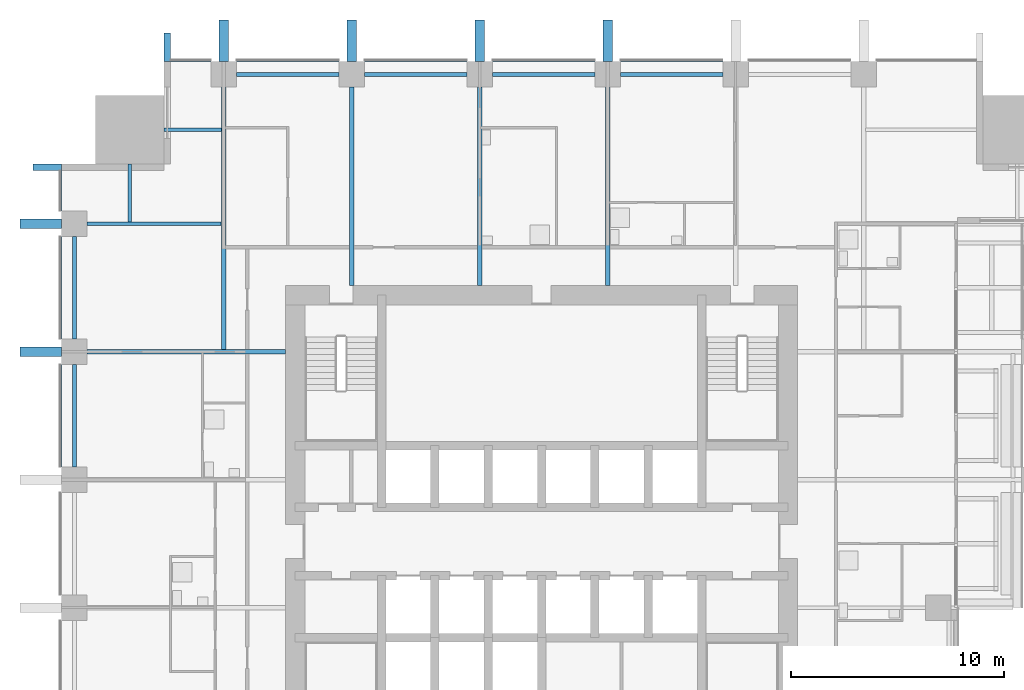
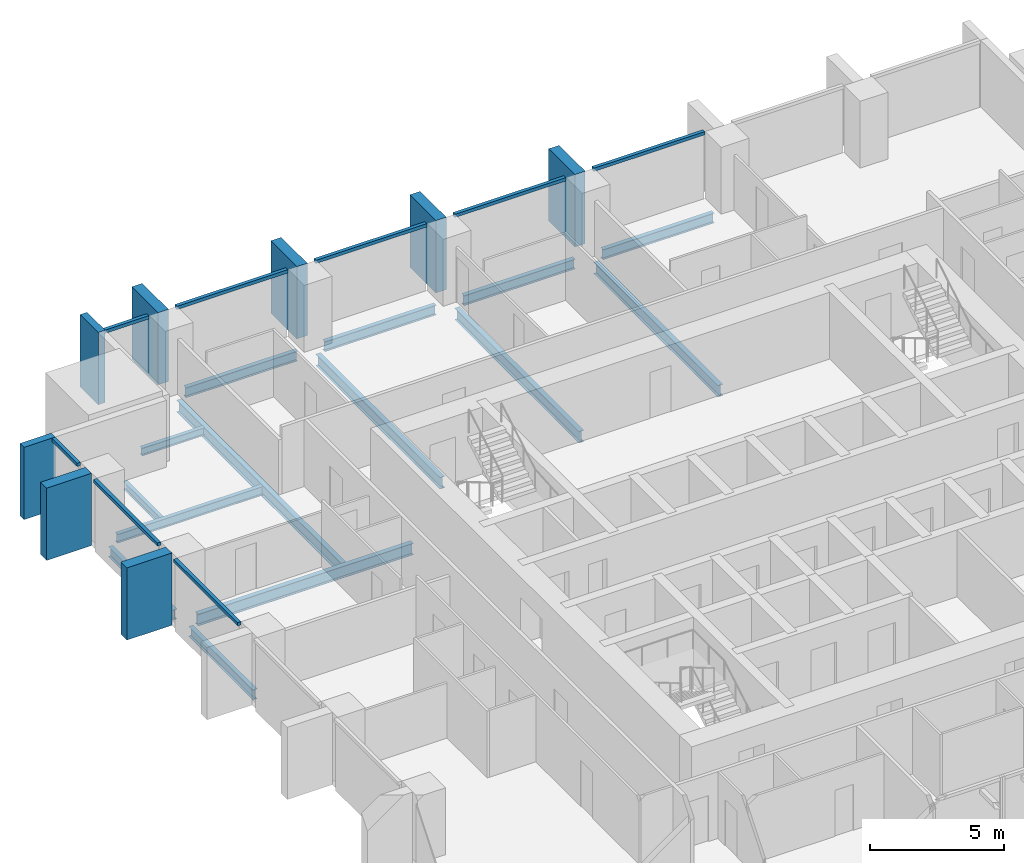
# One storey, part 4 of 15: 16 members, 14 beams, 2 elements without a shape of their own.
"""IFC4 building model written with IfcOpenShell, lengths in metres."""

from ifc_helpers import new_model, si_unit, direction, frame, origin, origin_2d, place, context, subcontext, project, spatial, rectangle, i_section, extrude, material, material_profile, profile_set, type_object, element, aggregate, save


model = new_model("IFC4")

# Units and contexts
model_context = context("Model", 3, precision=1e-05, world=origin(), true_north=direction((0.0, 1.0)))
body_context = subcontext(model_context, "Body", "Model", "MODEL_VIEW")
ifc_project = project(units=[si_unit("LENGTHUNIT", "METRE"), si_unit("AREAUNIT", "SQUARE_METRE"), si_unit("VOLUMEUNIT", "CUBIC_METRE"), si_unit("PLANEANGLEUNIT", "RADIAN"), si_unit("MASSUNIT", "GRAM", prefix="KILO")], contexts=[model_context])

# Site, building, storey
site_placement = place(None, origin())
site = spatial("IfcSite", under=ifc_project, at=site_placement, CompositionType="ELEMENT")
building_placement = place(site_placement, origin())
building = spatial("IfcBuilding", under=site, at=building_placement, Name="Amberfall Residences", CompositionType="ELEMENT")
storey_placement = place(building_placement, frame((0.0, 0.0, 53.199951171875)))
storey = spatial("IfcBuildingStorey", under=building, at=storey_placement, Name="L14", CompositionType="ELEMENT", Elevation=53.199951171875)

# Curtain wall, members
ifc_material_1 = material(Name="Bronze anodised aluminium and glass", Category="aluminium")
curtain_wall_type = type_object("IfcCurtainWallType", Name="Curtain wall CW1 tower unit", PredefinedType="USERDEFINED", material=ifc_material_1)
curtain_wall_1_placement = place(storey_placement, origin())
curtain_wall_1 = element("IfcCurtainWall", 1, at=curtain_wall_1_placement, inside=storey, type_object=curtain_wall_type, Name="Curtain wall L14 N N1", ObjectType="UNITISED CURTAIN WALL", PredefinedType="USERDEFINED")
ifc_material_2 = material(Name="Bronze anodised aluminium", Category="aluminium")
ifc_material_profile_1 = material_profile(ifc_material_2, rectangle(XDim=0.14990234375, YDim=0.14990234375, at=origin_2d()), Name="CW1 transom 150 x 150 bronze")
ifc_profile_set_1 = profile_set([ifc_material_profile_1], Name="Bronze anodised aluminium")
member_type_1 = type_object("IfcMemberType", Name="CW1 transom 150 x 150 bronze", PredefinedType="USERDEFINED", material=ifc_profile_set_1)
member_1_placement = place(storey_placement, frame((82.9951171875, 68.074951171875, 2.97509765625), z_axis=(-1.0, 0.0, 0.0), x_axis=(0.0, -1.0, 0.0)))
member_1 = element("IfcMember", 2, at=member_1_placement, type_object=member_type_1, Name="CW1 transom 3.1", ObjectType="TRANSOM", PredefinedType="USERDEFINED", context=body_context, shape_type="SweptSolid", body=[
    extrude(rectangle(XDim=0.14990234375, YDim=0.14990234375, at=origin_2d()), origin(), (0.0, 0.0, 1.0), 4.7900390625),
])
member_2_placement = place(storey_placement, frame((76.9951171875, 68.074951171875, 2.97509765625), z_axis=(-1.0, 0.0, 0.0), x_axis=(0.0, -1.0, 0.0)))
member_2 = element("IfcMember", 3, at=member_2_placement, type_object=member_type_1, Name="CW1 transom 4.1", ObjectType="TRANSOM", PredefinedType="USERDEFINED", context=body_context, shape_type="SweptSolid", body=[
    extrude(rectangle(XDim=0.14990234375, YDim=0.14990234375, at=origin_2d()), origin(), (0.0, 0.0, 1.0), 4.7900390625),
])
member_3_placement = place(storey_placement, frame((70.9951171875, 68.074951171875, 2.97509765625), z_axis=(-1.0, 0.0, 0.0), x_axis=(0.0, -1.0, 0.0)))
member_3 = element("IfcMember", 4, at=member_3_placement, type_object=member_type_1, Name="CW1 transom 5.1", ObjectType="TRANSOM", PredefinedType="USERDEFINED", context=body_context, shape_type="SweptSolid", body=[
    extrude(rectangle(XDim=0.14990234375, YDim=0.14990234375, at=origin_2d()), origin(), (0.0, 0.0, 1.0), 4.7900390625),
])
member_4_placement = place(storey_placement, frame((64.9951171875, 68.074951171875, 2.97509765625), z_axis=(-1.0, 0.0, 0.0), x_axis=(0.0, -1.0, 0.0)))
member_4 = element("IfcMember", 5, at=member_4_placement, type_object=member_type_1, Name="CW1 transom 6.1", ObjectType="TRANSOM", PredefinedType="USERDEFINED", context=body_context, shape_type="SweptSolid", body=[
    extrude(rectangle(XDim=0.14990234375, YDim=0.14990234375, at=origin_2d()), origin(), (0.0, 0.0, 1.0), 4.7900390625),
])
member_5_placement = place(storey_placement, frame((58.9951171875, 68.074951171875, 2.97509765625), z_axis=(-1.0, 0.0, 0.0), x_axis=(0.0, -1.0, 0.0)))
member_5 = element("IfcMember", 6, at=member_5_placement, type_object=member_type_1, Name="CW1 transom 7.1", ObjectType="TRANSOM", PredefinedType="USERDEFINED", context=body_context, shape_type="SweptSolid", body=[
    extrude(rectangle(XDim=0.14990234375, YDim=0.14990234375, at=origin_2d()), origin(), (0.0, 0.0, 1.0), 1.89501953125),
])

curtain_wall_2_placement = place(storey_placement, origin())
curtain_wall_2 = element("IfcCurtainWall", 7, at=curtain_wall_2_placement, inside=storey, type_object=curtain_wall_type, Name="Curtain wall L14 W W1", ObjectType="UNITISED CURTAIN WALL", PredefinedType="USERDEFINED")
member_6_placement = place(storey_placement, frame((51.925048828125, 62.89990234375, 2.97509765625), z_axis=(0.0, -1.0, 0.0), x_axis=(1.0, 0.0, 0.0)))
member_6 = element("IfcMember", 8, at=member_6_placement, type_object=member_type_1, Name="CW1 transom 1.1", ObjectType="TRANSOM", PredefinedType="USERDEFINED", context=body_context, shape_type="SweptSolid", body=[
    extrude(rectangle(XDim=0.14990234375, YDim=0.14990234375, at=origin_2d()), origin(), (0.0, 0.0, 1.0), 1.89501953125),
])
member_7_placement = place(storey_placement, frame((51.925048828125, 59.794921875, 2.97509765625), z_axis=(0.0, -1.0, 0.0), x_axis=(1.0, 0.0, 0.0)))
member_7 = element("IfcMember", 9, at=member_7_placement, type_object=member_type_1, Name="CW1 transom 2.1", ObjectType="TRANSOM", PredefinedType="USERDEFINED", context=body_context, shape_type="SweptSolid", body=[
    extrude(rectangle(XDim=0.14990234375, YDim=0.14990234375, at=origin_2d()), origin(), (0.0, 0.0, 1.0), 4.7900390625),
])
member_8_placement = place(storey_placement, frame((51.925048828125, 53.794921875, 2.97509765625), z_axis=(0.0, -1.0, 0.0), x_axis=(1.0, 0.0, 0.0)))
member_8 = element("IfcMember", 10, at=member_8_placement, type_object=member_type_1, Name="CW1 transom 3.1", ObjectType="TRANSOM", PredefinedType="USERDEFINED", context=body_context, shape_type="SweptSolid", body=[
    extrude(rectangle(XDim=0.14990234375, YDim=0.14990234375, at=origin_2d()), origin(), (0.0, 0.0, 1.0), 4.7900390625),
])

# Member
ifc_material_profile_2 = material_profile(ifc_material_2, rectangle(XDim=1.35009765625, YDim=0.300048828125, at=origin_2d()), Name="Corner fin 300 x 1350 bronze")
ifc_profile_set_2 = profile_set([ifc_material_profile_2], Name="Bronze anodised aluminium")
member_type_2 = type_object("IfcMemberType", Name="Corner fin 300 x 1350 bronze", PredefinedType="MULLION", material=ifc_profile_set_2)
member_9_placement = place(storey_placement, frame((56.949951171875, 68.675048828125, -0.25), z_axis=(0.0, 0.0, 1.0), x_axis=(0.0, -1.0, 0.0)))
member_9 = element("IfcMember", 11, at=member_9_placement, type_object=member_type_2, Name="CW FIN 8", PredefinedType="MULLION", context=body_context, shape_type="SweptSolid", body=[
    extrude(rectangle(XDim=1.35009765625, YDim=0.300048828125, at=origin_2d()), origin(), (0.0, 0.0, 1.0), 3.300048828125),
])

member_10_placement = place(storey_placement, frame((51.324951171875, 63.050048828125, -0.25), z_axis=(0.0, 0.0, 1.0), x_axis=(1.0, 0.0, 0.0)))
member_10 = element("IfcMember", 12, at=member_10_placement, type_object=member_type_2, Name="CW FIN 1", PredefinedType="MULLION", context=body_context, shape_type="SweptSolid", body=[
    extrude(rectangle(XDim=1.35009765625, YDim=0.300048828125, at=origin_2d()), origin(), (0.0, 0.0, 1.0), 3.300048828125),
])

# Beams
ifc_material_3 = material(Name="Steel S355", Category="steel")
ifc_material_profile_3 = material_profile(ifc_material_3, i_section(OverallWidth=0.18994140625, OverallDepth=0.453369140625, WebThickness=0.008544921875, FlangeThickness=0.0126953125, FilletRadius=0.01025390625, at=origin_2d()), Name="UB 457x191x67")
ifc_profile_set_3 = profile_set([ifc_material_profile_3], Name="Steel S355")
beam_type_1 = type_object("IfcBeamType", Name="Edge beam UB 457x191x67", PredefinedType="SPANDREL", material=ifc_profile_set_3)
for number, where, z_axis, x_axis, name in (
    (13, (60.199951171875, 67.39990234375, -0.4765625), (1.0, 0.0, 0.0), (0.0, 1.0, 0.0), "Edge beam B1 L14 27"),
    (14, (66.199951171875, 67.39990234375, -0.4765625), (1.0, 0.0, 0.0), (0.0, 1.0, 0.0), "Edge beam B1 L14 28"),
    (15, (72.199951171875, 67.39990234375, -0.4765625), (1.0, 0.0, 0.0), (0.0, 1.0, 0.0), "Edge beam B1 L14 29"),
    (16, (78.199951171875, 67.39990234375, -0.4765625), (1.0, 0.0, 0.0), (0.0, 1.0, 0.0), "Edge beam B1 L14 30"),
    (17, (52.60009765625, 49.0, -0.4765625), (0.0, 1.0, 0.0), (-1.0, 0.0, 0.0), "Edge beam B1 L14 41"),
    (18, (52.60009765625, 55.0, -0.4765625), (0.0, 1.0, 0.0), (-1.0, 0.0, 0.0), "Edge beam B1 L14 42"),
):
    element("IfcBeam", number, at=place(storey_placement, frame(where, z_axis=z_axis, x_axis=x_axis)), inside=storey, type_object=beam_type_1, Name=name, PredefinedType="SPANDREL", context=body_context, shape_type="SweptSolid", body=[
        extrude(i_section(OverallWidth=0.18994140625, OverallDepth=0.453369140625, WebThickness=0.008544921875, FlangeThickness=0.0126953125, FilletRadius=0.01025390625, at=origin_2d()), origin(), (0.0, 0.0, 1.0), 4.800048828125),
    ])

# Member
ifc_material_profile_4 = material_profile(ifc_material_2, rectangle(XDim=1.949951171875, YDim=0.449951171875, at=origin_2d()), Name="Fin 450 x 1950 bronze")
ifc_profile_set_4 = profile_set([ifc_material_profile_4], Name="Bronze anodised aluminium")
member_type_3 = type_object("IfcMemberType", Name="Fin 450 x 1950 bronze", PredefinedType="MULLION", material=ifc_profile_set_4)
member_11_placement = place(storey_placement, frame((77.60009765625, 68.97509765625, -0.25), z_axis=(0.0, 0.0, 1.0), x_axis=(0.0, -1.0, 0.0)))
member_11 = element("IfcMember", 19, at=member_11_placement, type_object=member_type_3, Name="CW FIN 4", PredefinedType="MULLION", context=body_context, shape_type="SweptSolid", body=[
    extrude(rectangle(XDim=1.949951171875, YDim=0.449951171875, at=origin_2d()), origin(), (0.0, 0.0, 1.0), 3.300048828125),
])

member_12_placement = place(storey_placement, frame((71.60009765625, 68.97509765625, -0.25), z_axis=(0.0, 0.0, 1.0), x_axis=(0.0, -1.0, 0.0)))
member_12 = element("IfcMember", 20, at=member_12_placement, type_object=member_type_3, Name="CW FIN 5", PredefinedType="MULLION", context=body_context, shape_type="SweptSolid", body=[
    extrude(rectangle(XDim=1.949951171875, YDim=0.449951171875, at=origin_2d()), origin(), (0.0, 0.0, 1.0), 3.300048828125),
])

member_13_placement = place(storey_placement, frame((65.60009765625, 68.97509765625, -0.25), z_axis=(0.0, 0.0, 1.0), x_axis=(0.0, -1.0, 0.0)))
member_13 = element("IfcMember", 21, at=member_13_placement, type_object=member_type_3, Name="CW FIN 6", PredefinedType="MULLION", context=body_context, shape_type="SweptSolid", body=[
    extrude(rectangle(XDim=1.949951171875, YDim=0.449951171875, at=origin_2d()), origin(), (0.0, 0.0, 1.0), 3.300048828125),
])

member_14_placement = place(storey_placement, frame((59.60009765625, 68.97509765625, -0.25), z_axis=(0.0, 0.0, 1.0), x_axis=(0.0, -1.0, 0.0)))
member_14 = element("IfcMember", 22, at=member_14_placement, type_object=member_type_3, Name="CW FIN 7", PredefinedType="MULLION", context=body_context, shape_type="SweptSolid", body=[
    extrude(rectangle(XDim=1.949951171875, YDim=0.449951171875, at=origin_2d()), origin(), (0.0, 0.0, 1.0), 3.300048828125),
])

aggregate(curtain_wall_1, [member_11, member_12, member_13, member_14, member_9, member_1, member_2, member_3, member_4, member_5])

member_15_placement = place(storey_placement, frame((51.02490234375, 60.39990234375, -0.25), z_axis=(0.0, 0.0, 1.0), x_axis=(1.0, 0.0, 0.0)))
member_15 = element("IfcMember", 23, at=member_15_placement, type_object=member_type_3, Name="CW FIN 2", PredefinedType="MULLION", context=body_context, shape_type="SweptSolid", body=[
    extrude(rectangle(XDim=1.949951171875, YDim=0.449951171875, at=origin_2d()), origin(), (0.0, 0.0, 1.0), 3.300048828125),
])

member_16_placement = place(storey_placement, frame((51.02490234375, 54.39990234375, -0.25), z_axis=(0.0, 0.0, 1.0), x_axis=(1.0, 0.0, 0.0)))
member_16 = element("IfcMember", 24, at=member_16_placement, type_object=member_type_3, Name="CW FIN 3", PredefinedType="MULLION", context=body_context, shape_type="SweptSolid", body=[
    extrude(rectangle(XDim=1.949951171875, YDim=0.449951171875, at=origin_2d()), origin(), (0.0, 0.0, 1.0), 3.300048828125),
])

aggregate(curtain_wall_2, [member_10, member_15, member_16, member_6, member_7, member_8])

# Beams
ifc_material_profile_5 = material_profile(ifc_material_3, i_section(OverallWidth=0.177734375, OverallDepth=0.402587890625, WebThickness=0.0078125, FlangeThickness=0.010986328125, FilletRadius=0.01025390625, at=origin_2d()), Name="UB 406x178x54")
ifc_profile_set_5 = profile_set([ifc_material_profile_5], Name="Steel S355")
beam_type_2 = type_object("IfcBeamType", Name="Floor girder UB 406x178x54", PredefinedType="BEAM", material=ifc_profile_set_5)
beam_1_placement = place(storey_placement, frame((53.199951171875, 60.39990234375, -0.451171875), z_axis=(1.0, 0.0, 0.0), x_axis=(0.0, 1.0, 0.0)))
element("IfcBeam", 25, at=beam_1_placement, inside=storey, type_object=beam_type_2, Name="Floor girder B4 L14 48", PredefinedType="BEAM", context=body_context, shape_type="SweptSolid", body=[
    extrude(i_section(OverallWidth=0.177734375, OverallDepth=0.402587890625, WebThickness=0.0078125, FlangeThickness=0.010986328125, FilletRadius=0.01025390625, at=origin_2d()), origin(), (0.0, 0.0, 1.0), 6.280029296875),
])
ifc_material_profile_6 = material_profile(ifc_material_3, i_section(OverallWidth=0.210693359375, OverallDepth=0.53955078125, WebThickness=0.01171875, FlangeThickness=0.018798828125, FilletRadius=0.0126953125, at=origin_2d()), Name="UB 533x210x109")
ifc_profile_set_6 = profile_set([ifc_material_profile_6], Name="Steel S355")
beam_type_3 = type_object("IfcBeamType", Name="Floor girder UB 533x210x109", PredefinedType="BEAM", material=ifc_profile_set_6)
beam_2_placement = place(storey_placement, frame((59.60009765625, 66.800048828125, -0.519775390625), z_axis=(0.0, -1.0, 0.0), x_axis=(1.0, 0.0, 0.0)))
element("IfcBeam", 26, at=beam_2_placement, inside=storey, type_object=beam_type_3, Name="Floor girder B2 L14 32", PredefinedType="BEAM", context=body_context, shape_type="SweptSolid", body=[
    extrude(i_section(OverallWidth=0.210693359375, OverallDepth=0.53955078125, WebThickness=0.01171875, FlangeThickness=0.018798828125, FilletRadius=0.0126953125, at=origin_2d()), origin(), (0.0, 0.0, 1.0), 12.300537109375),
])
ifc_material_profile_7 = material_profile(ifc_material_3, i_section(OverallWidth=0.209228515625, OverallDepth=0.533203125, WebThickness=0.010009765625, FlangeThickness=0.015625, FilletRadius=0.0126953125, at=origin_2d()), Name="UB 533x210x92")
ifc_profile_set_7 = profile_set([ifc_material_profile_7], Name="Steel S355")
beam_type_4 = type_object("IfcBeamType", Name="Floor girder UB 533x210x92", PredefinedType="BEAM", material=ifc_profile_set_7)
for number, where, z_axis, x_axis, name in (
    (27, (65.60009765625, 66.800048828125, -0.5166015625), (0.0, -1.0, 0.0), (1.0, 0.0, 0.0), "Floor girder B3 L14 33"),
    (28, (71.60009765625, 66.800048828125, -0.5166015625), (0.0, -1.0, 0.0), (1.0, 0.0, 0.0), "Floor girder B3 L14 34"),
    (29, (77.60009765625, 66.800048828125, -0.5166015625), (0.0, -1.0, 0.0), (1.0, 0.0, 0.0), "Floor girder B3 L14 35"),
    (30, (53.199951171875, 54.39990234375, -0.5166015625), (1.0, 0.0, 0.0), (0.0, 1.0, 0.0), "Floor girder B3 L14 47"),
):
    element("IfcBeam", number, at=place(storey_placement, frame(where, z_axis=z_axis, x_axis=x_axis)), inside=storey, type_object=beam_type_4, Name=name, PredefinedType="BEAM", context=body_context, shape_type="SweptSolid", body=[
        extrude(i_section(OverallWidth=0.209228515625, OverallDepth=0.533203125, WebThickness=0.010009765625, FlangeThickness=0.015625, FilletRadius=0.0126953125, at=origin_2d()), origin(), (0.0, 0.0, 1.0), 9.300048828125),
    ])
ifc_material_profile_8 = material_profile(ifc_material_3, i_section(OverallWidth=0.171142578125, OverallDepth=0.351318359375, WebThickness=0.007080078125, FlangeThickness=0.009765625, FilletRadius=0.01025390625, at=origin_2d()), Name="UB 356x171x45")
ifc_profile_set_8 = profile_set([ifc_material_profile_8], Name="Steel S355")
beam_type_5 = type_object("IfcBeamType", Name="Link beam UB 356x171x45", PredefinedType="BEAM", material=ifc_profile_set_8)
beam_3_placement = place(storey_placement, frame((56.800048828125, 64.800048828125, -0.425537109375), z_axis=(1.0, 0.0, 0.0), x_axis=(0.0, 1.0, 0.0)))
element("IfcBeam", 31, at=beam_3_placement, inside=storey, type_object=beam_type_5, Name="Link beam B7 L14 55", PredefinedType="BEAM", context=body_context, shape_type="SweptSolid", body=[
    extrude(i_section(OverallWidth=0.171142578125, OverallDepth=0.351318359375, WebThickness=0.007080078125, FlangeThickness=0.009765625, FilletRadius=0.01025390625, at=origin_2d()), origin(), (0.0, 0.0, 1.0), 2.70458984375),
])
beam_4_placement = place(storey_placement, frame((55.199951171875, 63.199951171875, -0.425537109375), z_axis=(0.0, -1.0, 0.0), x_axis=(1.0, 0.0, 0.0)))
element("IfcBeam", 32, at=beam_4_placement, inside=storey, type_object=beam_type_5, Name="Link beam B7 L14 56", PredefinedType="BEAM", context=body_context, shape_type="SweptSolid", body=[
    extrude(i_section(OverallWidth=0.171142578125, OverallDepth=0.351318359375, WebThickness=0.007080078125, FlangeThickness=0.009765625, FilletRadius=0.01025390625, at=origin_2d()), origin(), (0.0, 0.0, 1.0), 2.720947265625),
])

save(model, "model.ifc")
